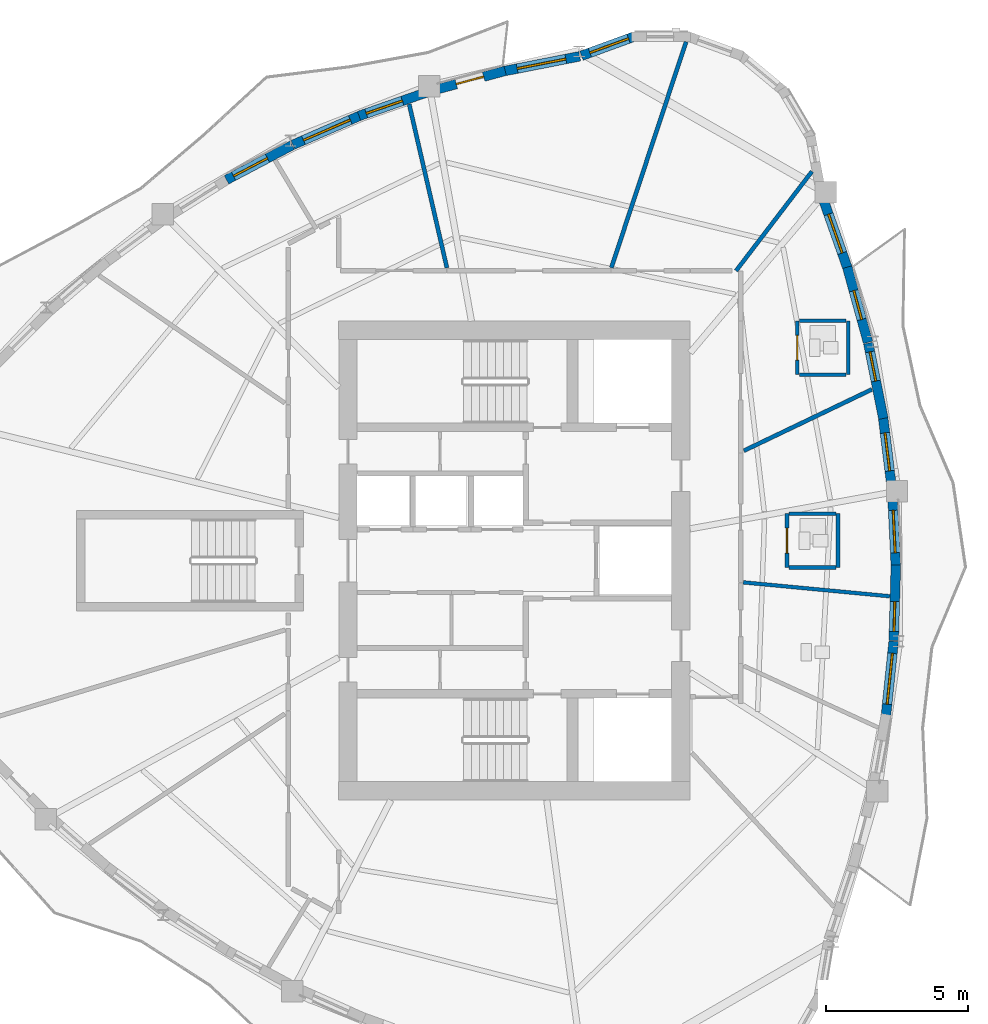
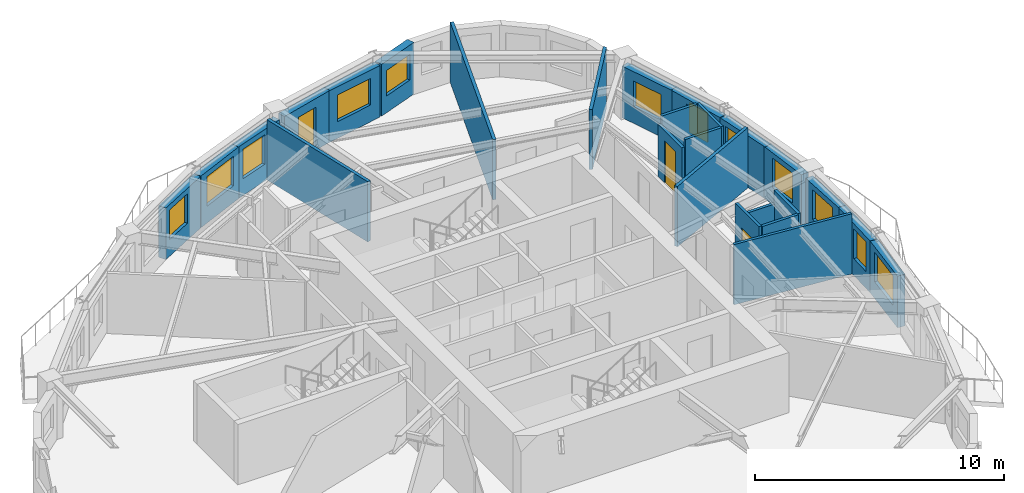
# One storey, part 7 of 12: 26 walls, 12 windows, 3 doors, 15 openings.
"""IFC4 building model written with IfcOpenShell, lengths in metres."""

from ifc_helpers import new_model, si_unit, direction, frame, frame_2d, origin, place, context, subcontext, project, spatial, rectangle, extrude, source, transform, mapped, material, layer, layer_set, type_object, element, fill, save


model = new_model("IFC4")

# Units and contexts
model_context = context("Model", 3, precision=1e-05, world=origin(), true_north=direction((0.0, 1.0)))
body_context = subcontext(model_context, "Body", "Model", "MODEL_VIEW")
ifc_project = project(units=[si_unit("LENGTHUNIT", "METRE"), si_unit("AREAUNIT", "SQUARE_METRE"), si_unit("VOLUMEUNIT", "CUBIC_METRE"), si_unit("PLANEANGLEUNIT", "RADIAN"), si_unit("MASSUNIT", "GRAM", prefix="KILO")], contexts=[model_context])

# Site, building, storey
site_placement = place(None, origin())
site = spatial("IfcSite", under=ifc_project, at=site_placement, CompositionType="ELEMENT")
building_placement = place(site_placement, origin())
building = spatial("IfcBuilding", under=site, at=building_placement, Name="Qafzar Sky-Pleat Residences", CompositionType="ELEMENT")
storey_placement = place(building_placement, frame((0.0, 0.0, 142.60009765625)))
storey = spatial("IfcBuildingStorey", under=building, at=storey_placement, Name="L42", CompositionType="ELEMENT", Elevation=142.60009765625)

# Walls
ifc_material_1 = material(Name="Acoustic gypsum plasterboard partition", Category="gypsum")
ifc_layer_1 = layer(ifc_material_1, 0.14501953125)
ifc_layer_set_1 = layer_set([ifc_layer_1], Name="Acoustic gypsum plasterboard partition")
wall_type_1 = type_object("IfcWallType", Name="PART-UNIT-145", PredefinedType="PARTITIONING", material=ifc_layer_set_1)
wall_1_placement = place(storey_placement, frame((33.7705078125, 36.34033203125, 0.0), z_axis=(0.0, 0.0, 1.0), x_axis=(0.314080540859, 0.949396341816, 0.0)))
element("IfcWall", 1, at=wall_1_placement, inside=storey, type_object=wall_type_1, Name="L42 Partition Wall PART-L42-PW-016", PredefinedType="PARTITIONING", context=body_context, shape_type="SweptSolid", body=[
    extrude(rectangle(XDim=8.394287109375, YDim=0.14501953125, at=frame_2d((4.197265625, 0.0))), origin(), (0.0, 0.0, 1.0), 2.949951171875),
])
wall_2_placement = place(storey_placement, frame((26.6337890625, 42.11328125, 0.0), z_axis=(0.0, 0.0, 1.0), x_axis=(0.224790361783, -0.97440714963, 0.0)))
element("IfcWall", 2, at=wall_2_placement, inside=storey, type_object=wall_type_1, Name="L42 Partition Wall PART-L42-PW-020", PredefinedType="PARTITIONING", context=body_context, shape_type="SweptSolid", body=[
    extrude(rectangle(XDim=5.93115234375, YDim=0.14501953125, at=frame_2d((2.965576171875, 0.0))), origin(), (0.0, 0.0, 1.0), 2.949951171875),
])
wall_3_placement = place(storey_placement, frame((38.448486328125, 29.880859375, 0.0), z_axis=(0.0, 0.0, 1.0), x_axis=(0.901842564972, 0.432064796072, 0.0)))
element("IfcWall", 3, at=wall_3_placement, inside=storey, type_object=wall_type_1, Name="L42 Partition Wall PART-L42-PW-023", PredefinedType="PARTITIONING", context=body_context, shape_type="SweptSolid", body=[
    extrude(rectangle(XDim=5.004150390625, YDim=0.14501953125, at=frame_2d((2.501953125, 0.0))), origin(), (0.0, 0.0, 1.0), 2.949951171875),
])
wall_4_placement = place(storey_placement, frame((38.169921875, 36.22998046875, 0.0), z_axis=(0.0, 0.0, 1.0), x_axis=(0.607203490548, 0.794546361811, 0.0)))
element("IfcWall", 4, at=wall_4_placement, inside=storey, type_object=wall_type_1, Name="L42 Partition Wall PART-L42-PW-024", PredefinedType="PARTITIONING", context=body_context, shape_type="SweptSolid", body=[
    extrude(rectangle(XDim=4.409912109375, YDim=0.14501953125, at=frame_2d((2.205078125, 0.0))), origin(), (0.0, 0.0, 1.0), 2.949951171875),
])

# Wall, opening, door
ifc_material_2 = material(Name="Moisture-resistant gypsum partition", Category="gypsum")
ifc_layer_2 = layer(ifc_material_2, 0.1298828125)
ifc_layer_set_2 = layer_set([ifc_layer_2], Name="Moisture-resistant gypsum partition")
wall_type_2 = type_object("IfcWallType", Name="PART-WET-130", PredefinedType="PARTITIONING", material=ifc_layer_set_2)
wall_5_placement = place(storey_placement, frame((39.968017578125, 27.656982421875, 0.0), z_axis=(0.0, 0.0, 1.0), x_axis=(0.0, -1.0, 0.0)))
wall_5 = element("IfcWall", 5, at=wall_5_placement, inside=storey, type_object=wall_type_2, Name="L42 Partition Wall PART-L42-PW-012", PredefinedType="PARTITIONING", context=body_context, shape_type="SweptSolid", body=[
    extrude(rectangle(XDim=1.89990234375, YDim=0.1298828125, at=frame_2d((0.949951171875, 0.0))), origin(), (0.0, 0.0, 1.0), 2.949951171875),
])
opening_1_placement = place(wall_5_placement, frame((0.510009765625, 0.0, 0.0)))
opening_1 = element("IfcOpeningElement", 6, at=opening_1_placement, cuts=wall_5, Name="Opening ID-07", PredefinedType="OPENING", context=body_context, shape_type="SweptSolid", body=[
    extrude(rectangle(XDim=0.8798828125, YDim=2.050048828125, at=frame_2d((0.43994140625, 1.02490234375))), frame((0.0, 0.074951171875, 0.0), z_axis=(0.0, -1.0, 0.0), x_axis=(1.0, 0.0, 0.0)), (0.0, 0.0, 1.0), 0.14990234375),
])
ifc_material_3 = material(Name="Timber-faced fire door", Category="wood")
door_type_1 = type_object("IfcDoorType", Name="DR-WET-880", OperationType="NOTDEFINED", PredefinedType="DOOR", material=ifc_material_3)
shared_shape_1 = source(origin(), body_context, "Body", "SweptSolid", [
    extrude(rectangle(XDim=0.8798828125, YDim=2.050048828125, at=frame_2d((0.43994140625, 1.02490234375))), frame((0.0, 0.02490234375, 0.0), z_axis=(0.0, -1.0, 0.0), x_axis=(1.0, 0.0, 0.0)), (0.0, 0.0, 1.0), 0.050048828125),
])
door_1_placement = place(opening_1_placement, origin())
door_1 = element("IfcDoor", 7, at=door_1_placement, inside=storey, type_object=door_type_1, Name="L42 En-suite Bathroom 1 Door", OperationType="SINGLE_SWING_LEFT", OverallHeight=2.050048828125, OverallWidth=0.8798828125, PredefinedType="DOOR", context=body_context, shape_type="MappedRepresentation", body=[
    mapped(shared_shape_1, transform((0.0, 0.0, 0.0), x_axis=(1.0, 0.0, 0.0), y_axis=(0.0, 1.0, 0.0), z_axis=(0.0, 0.0, 1.0), scale=1.0)),
])
fill(opening_1, door_1)

wall_6_placement = place(storey_placement, frame((40.330078125, 34.464111328125, 0.0), z_axis=(0.0, 0.0, 1.0), x_axis=(0.0, -1.0, 0.0)))
wall_6 = element("IfcWall", 8, at=wall_6_placement, inside=storey, type_object=wall_type_2, Name="L42 Partition Wall PART-L42-PW-013", PredefinedType="PARTITIONING", context=body_context, shape_type="SweptSolid", body=[
    extrude(rectangle(XDim=1.900146484375, YDim=0.1298828125, at=frame_2d((0.9501953125, 0.0))), origin(), (0.0, 0.0, 1.0), 2.557861328125),
])
opening_2_placement = place(wall_6_placement, frame((0.510009765625, 0.0, 0.0)))
opening_2 = element("IfcOpeningElement", 9, at=opening_2_placement, cuts=wall_6, Name="Opening ID-07", PredefinedType="OPENING", context=body_context, shape_type="SweptSolid", body=[
    extrude(rectangle(XDim=0.8798828125, YDim=2.050048828125, at=frame_2d((0.43994140625, 1.02490234375))), frame((0.0, 0.074951171875, 0.0), z_axis=(0.0, -1.0, 0.0), x_axis=(1.0, 0.0, 0.0)), (0.0, 0.0, 1.0), 0.14990234375),
])
door_2_placement = place(opening_2_placement, origin())
door_2 = element("IfcDoor", 10, at=door_2_placement, inside=storey, type_object=door_type_1, Name="L42 En-suite Bathroom 2 Door", OperationType="SINGLE_SWING_RIGHT", OverallHeight=2.050048828125, OverallWidth=0.8798828125, PredefinedType="DOOR", context=body_context, shape_type="MappedRepresentation", body=[
    mapped(shared_shape_1, transform((0.0, 0.0, 0.0), x_axis=(1.0, 0.0, 0.0), y_axis=(0.0, 1.0, 0.0), z_axis=(0.0, 0.0, 1.0), scale=1.0)),
])
fill(opening_2, door_2)

# Walls
wall_7_placement = place(storey_placement, frame((38.424072265625, 25.235107421875, 0.0), z_axis=(0.0, 0.0, 1.0), x_axis=(0.995523942217, -0.094509684549, 0.0)))
element("IfcWall", 11, at=wall_7_placement, inside=storey, type_object=wall_type_2, Name="L42 Partition Wall PART-L42-PW-022", PredefinedType="PARTITIONING", context=body_context, shape_type="SweptSolid", body=[
    extrude(rectangle(XDim=5.19482421875, YDim=0.1298828125, at=frame_2d((2.597412109375, 0.0))), origin(), (0.0, 0.0, 1.0), 2.949951171875),
])
wall_8_placement = place(storey_placement, frame((41.76806640625, 25.757080078125, 0.0), z_axis=(0.0, 0.0, 1.0), x_axis=(0.0, 1.0, 0.0)))
element("IfcWall", 12, at=wall_8_placement, inside=storey, type_object=wall_type_2, Name="L42 Partition Wall PART-L42-PW-027", PredefinedType="PARTITIONING", context=body_context, shape_type="SweptSolid", body=[
    extrude(rectangle(XDim=1.89990234375, YDim=0.1298828125, at=frame_2d((0.949951171875, 0.0))), origin(), (0.0, 0.0, 1.0), 2.949951171875),
])
wall_9_placement = place(storey_placement, frame((42.1298828125, 32.56396484375, 0.0), z_axis=(0.0, 0.0, 1.0), x_axis=(0.0, 1.0, 0.0)))
element("IfcWall", 13, at=wall_9_placement, inside=storey, type_object=wall_type_2, Name="L42 Partition Wall PART-L42-PW-028", PredefinedType="PARTITIONING", context=body_context, shape_type="SweptSolid", body=[
    extrude(rectangle(XDim=1.900146484375, YDim=0.1298828125, at=frame_2d((0.9501953125, 0.0))), origin(), (0.0, 0.0, 1.0), 2.949951171875),
])
for number, where, z_axis, x_axis, name in (
    (14, (40.403076171875, 34.464111328125, 0.0), (0.0, 0.0, 1.0), (1.0, 0.0, 0.0), "L42 Partition Wall PART-L42-PW-029"),
    (15, (40.403076171875, 32.56396484375, 0.0), (0.0, 0.0, 1.0), (1.0, 0.0, 0.0), "L42 Partition Wall PART-L42-PW-030"),
):
    element("IfcWall", number, at=place(storey_placement, frame(where, z_axis=z_axis, x_axis=x_axis)), inside=storey, type_object=wall_type_2, Name=name, PredefinedType="PARTITIONING", context=body_context, shape_type="SweptSolid", body=[
        extrude(rectangle(XDim=1.65380859375, YDim=0.1298828125, at=frame_2d((0.826904296875, 0.0))), origin(), (0.0, 0.0, 1.0), 2.949951171875),
    ])
wall_10_placement = place(storey_placement, frame((40.041015625, 27.656982421875, 0.0), z_axis=(0.0, 0.0, 1.0), x_axis=(1.0, 0.0, 0.0)))
element("IfcWall", 16, at=wall_10_placement, inside=storey, type_object=wall_type_2, Name="L42 Partition Wall PART-L42-PW-031", PredefinedType="PARTITIONING", context=body_context, shape_type="SweptSolid", body=[
    extrude(rectangle(XDim=1.654052734375, YDim=0.1298828125, at=frame_2d((0.8271484375, 0.0))), origin(), (0.0, 0.0, 1.0), 2.31787109375),
])
wall_11_placement = place(storey_placement, frame((40.041015625, 25.757080078125, 0.0), z_axis=(0.0, 0.0, 1.0), x_axis=(1.0, 0.0, 0.0)))
element("IfcWall", 17, at=wall_11_placement, inside=storey, type_object=wall_type_2, Name="L42 Partition Wall PART-L42-PW-032", PredefinedType="PARTITIONING", context=body_context, shape_type="SweptSolid", body=[
    extrude(rectangle(XDim=1.654052734375, YDim=0.1298828125, at=frame_2d((0.8271484375, 0.0))), origin(), (0.0, 0.0, 1.0), 2.949951171875),
])

# Wall, opening, window
ifc_material_4 = material(Name="Precast concrete C40/50 with honed Riyadh limestone", Category="concrete")
ifc_layer_3 = layer(ifc_material_4, 0.340087890625)
ifc_layer_set_3 = layer_set([ifc_layer_3], Name="Precast concrete C40/50 with honed Riyadh limestone")
wall_type_3 = type_object("IfcWallType", Name="WALL-EXT-340", PredefinedType="SOLIDWALL", material=ifc_layer_set_3)
wall_12_placement = place(storey_placement, frame((43.4541015625, 20.490478515625, 0.0), z_axis=(0.0, 0.0, 1.0), x_axis=(0.103669919384, 0.994611757328, 0.0)))
wall_12 = element("IfcWall", 18, at=wall_12_placement, inside=storey, type_object=wall_type_3, Name="L42 Limestone Facade Wall 26", PredefinedType="SOLIDWALL", context=body_context, shape_type="SweptSolid", body=[
    extrude(rectangle(XDim=2.679931640625, YDim=0.340087890625, at=frame_2d((1.33984375, 0.0))), origin(), (0.0, 0.0, 1.0), 2.52978515625),
])
opening_3_placement = place(wall_12_placement, frame((0.449951171875, 0.0, 0.820068359375)))
opening_3 = element("IfcOpeningElement", 19, at=opening_3_placement, cuts=wall_12, Name="Opening WN-01", PredefinedType="OPENING", context=body_context, shape_type="SweptSolid", body=[
    extrude(rectangle(XDim=1.800048828125, YDim=1.449951171875, at=frame_2d((0.89990234375, 0.72509765625))), frame((0.0, 0.18017578125, 0.0), z_axis=(0.0, -1.0, 0.0), x_axis=(1.0, 0.0, 0.0)), (0.0, 0.0, 1.0), 0.360107421875),
])
ifc_material_5 = material(Name="Solar-control low-E glass in bronze aluminium frame", Category="glass")
window_type_1 = type_object("IfcWindowType", Name="WIN-01", PartitioningType="DOUBLE_PANEL_VERTICAL", PredefinedType="WINDOW", material=ifc_material_5)
shared_shape_2 = source(origin(), body_context, "Body", "SweptSolid", [
    extrude(rectangle(XDim=1.800048828125, YDim=1.449951171875, at=frame_2d((0.89990234375, 0.72509765625))), frame((0.0, 0.030029296875, 0.0), z_axis=(0.0, -1.0, 0.0), x_axis=(1.0, 0.0, 0.0)), (0.0, 0.0, 1.0), 0.06005859375),
])
window_1_placement = place(opening_3_placement, origin())
window_1 = element("IfcWindow", 20, at=window_1_placement, inside=storey, type_object=window_type_1, Name="L42 Punched Facade Window 26", OverallHeight=1.449951171875, OverallWidth=1.800048828125, PartitioningType="SINGLE_PANEL", PredefinedType="WINDOW", context=body_context, shape_type="MappedRepresentation", body=[
    mapped(shared_shape_2, transform((0.0, 0.0, 0.0), x_axis=(1.0, 0.0, 0.0), y_axis=(0.0, 1.0, 0.0), z_axis=(0.0, 0.0, 1.0), scale=1.0)),
])
fill(opening_3, window_1)

wall_13_placement = place(storey_placement, frame((43.73388671875, 23.18310546875, 0.0), z_axis=(0.0, 0.0, 1.0), x_axis=(0.028311286797, 0.999599155182, 0.0)))
wall_13 = element("IfcWall", 21, at=wall_13_placement, inside=storey, type_object=wall_type_3, Name="L42 Limestone Facade Wall 27", PredefinedType="SOLIDWALL", context=body_context, shape_type="SweptSolid", body=[
    extrude(rectangle(XDim=2.66455078125, YDim=0.340087890625, at=frame_2d((1.332275390625, 0.0))), origin(), (0.0, 0.0, 1.0), 2.52978515625),
])
opening_4_placement = place(wall_13_placement, frame((0.322509765625, 0.0, 0.820068359375)))
opening_4 = element("IfcOpeningElement", 22, at=opening_4_placement, cuts=wall_13, Name="Opening WN-06", PredefinedType="OPENING", context=body_context, shape_type="SweptSolid", body=[
    extrude(rectangle(XDim=1.050048828125, YDim=1.449951171875, at=frame_2d((0.52490234375, 0.72509765625))), frame((0.0, 0.18017578125, 0.0), z_axis=(0.0, -1.0, 0.0), x_axis=(1.0, 0.0, 0.0)), (0.0, 0.0, 1.0), 0.360107421875),
])
window_type_2 = type_object("IfcWindowType", Name="WIN-06", PartitioningType="SINGLE_PANEL", PredefinedType="WINDOW", material=ifc_material_5)
shared_shape_3 = source(origin(), body_context, "Body", "SweptSolid", [
    extrude(rectangle(XDim=1.050048828125, YDim=1.449951171875, at=frame_2d((0.52490234375, 0.72509765625))), frame((0.0, 0.030029296875, 0.0), z_axis=(0.0, -1.0, 0.0), x_axis=(1.0, 0.0, 0.0)), (0.0, 0.0, 1.0), 0.06005859375),
])
window_2_placement = place(opening_4_placement, origin())
window_2 = element("IfcWindow", 23, at=window_2_placement, inside=storey, type_object=window_type_2, Name="L42 Punched Facade Window 27", OverallHeight=1.449951171875, OverallWidth=1.050048828125, PartitioningType="SINGLE_PANEL", PredefinedType="WINDOW", context=body_context, shape_type="MappedRepresentation", body=[
    mapped(shared_shape_3, transform((0.0, 0.0, 0.0), x_axis=(1.0, 0.0, 0.0), y_axis=(0.0, 1.0, 0.0), z_axis=(0.0, 0.0, 1.0), scale=1.0)),
])
fill(opening_4, window_2)

wall_14_placement = place(storey_placement, frame((43.810302734375, 25.7578125, 0.0), z_axis=(0.0, 0.0, 1.0), x_axis=(-0.047679791281, 0.998862671994, 0.0)))
wall_14 = element("IfcWall", 24, at=wall_14_placement, inside=storey, type_object=wall_type_3, Name="L42 Limestone Facade Wall 28", PredefinedType="SOLIDWALL", context=body_context, shape_type="SweptSolid", body=[
    extrude(rectangle(XDim=2.529541015625, YDim=0.340087890625, at=frame_2d((1.2646484375, 0.0))), origin(), (0.0, 0.0, 1.0), 2.52978515625),
])
opening_5_placement = place(wall_14_placement, frame((0.519775390625, 0.0, 0.820068359375)))
opening_5 = element("IfcOpeningElement", 25, at=opening_5_placement, cuts=wall_14, Name="Opening WN-03", PredefinedType="OPENING", context=body_context, shape_type="SweptSolid", body=[
    extrude(rectangle(XDim=1.5, YDim=1.449951171875, at=frame_2d((0.75, 0.72509765625))), frame((0.0, 0.18017578125, 0.0), z_axis=(0.0, -1.0, 0.0), x_axis=(1.0, 0.0, 0.0)), (0.0, 0.0, 1.0), 0.360107421875),
])
window_type_3 = type_object("IfcWindowType", Name="WIN-03", PartitioningType="DOUBLE_PANEL_VERTICAL", PredefinedType="WINDOW", material=ifc_material_5)
shared_shape_4 = source(origin(), body_context, "Body", "SweptSolid", [
    extrude(rectangle(XDim=1.5, YDim=1.449951171875, at=frame_2d((0.75, 0.72509765625))), frame((0.0, 0.030029296875, 0.0), z_axis=(0.0, -1.0, 0.0), x_axis=(1.0, 0.0, 0.0)), (0.0, 0.0, 1.0), 0.06005859375),
])
window_3_placement = place(opening_5_placement, origin())
window_3 = element("IfcWindow", 26, at=window_3_placement, inside=storey, type_object=window_type_3, Name="L42 Punched Facade Window 28", OverallHeight=1.449951171875, OverallWidth=1.5, PartitioningType="SINGLE_PANEL", PredefinedType="WINDOW", context=body_context, shape_type="MappedRepresentation", body=[
    mapped(shared_shape_4, transform((0.0, 0.0, 0.0), x_axis=(1.0, 0.0, 0.0), y_axis=(0.0, 1.0, 0.0), z_axis=(0.0, 0.0, 1.0), scale=1.0)),
])
fill(opening_5, window_3)

wall_15_placement = place(storey_placement, frame((43.664306640625, 28.580078125, 0.0), z_axis=(0.0, 0.0, 1.0), x_axis=(-0.122794881762, 0.992432071737, 0.0)))
wall_15 = element("IfcWall", 27, at=wall_15_placement, inside=storey, type_object=wall_type_3, Name="L42 Limestone Facade Wall 29", PredefinedType="SOLIDWALL", context=body_context, shape_type="SweptSolid", body=[
    extrude(rectangle(XDim=2.544921875, YDim=0.340087890625, at=frame_2d((1.2724609375, 0.0))), origin(), (0.0, 0.0, 1.0), 2.52978515625),
])
opening_6_placement = place(wall_15_placement, frame((0.59228515625, 0.0, 0.820068359375)))
opening_6 = element("IfcOpeningElement", 28, at=opening_6_placement, cuts=wall_15, Name="Opening WN-04", PredefinedType="OPENING", context=body_context, shape_type="SweptSolid", body=[
    extrude(rectangle(XDim=1.35009765625, YDim=1.449951171875, at=frame_2d((0.675048828125, 0.72509765625))), frame((0.0, 0.18017578125, 0.0), z_axis=(0.0, -1.0, 0.0), x_axis=(1.0, 0.0, 0.0)), (0.0, 0.0, 1.0), 0.360107421875),
])
window_type_4 = type_object("IfcWindowType", Name="WIN-04", PartitioningType="SINGLE_PANEL", PredefinedType="WINDOW", material=ifc_material_5)
shared_shape_5 = source(origin(), body_context, "Body", "SweptSolid", [
    extrude(rectangle(XDim=1.35009765625, YDim=1.449951171875, at=frame_2d((0.675048828125, 0.72509765625))), frame((0.0, 0.030029296875, 0.0), z_axis=(0.0, -1.0, 0.0), x_axis=(1.0, 0.0, 0.0)), (0.0, 0.0, 1.0), 0.06005859375),
])
window_4_placement = place(opening_6_placement, origin())
window_4 = element("IfcWindow", 29, at=window_4_placement, inside=storey, type_object=window_type_4, Name="L42 Punched Facade Window 29", OverallHeight=1.449951171875, OverallWidth=1.35009765625, PartitioningType="SINGLE_PANEL", PredefinedType="WINDOW", context=body_context, shape_type="MappedRepresentation", body=[
    mapped(shared_shape_5, transform((0.0, 0.0, 0.0), x_axis=(1.0, 0.0, 0.0), y_axis=(0.0, 1.0, 0.0), z_axis=(0.0, 0.0, 1.0), scale=1.0)),
])
fill(opening_6, window_4)

wall_16_placement = place(storey_placement, frame((43.365966796875, 31.018310546875, 0.0), z_axis=(0.0, 0.0, 1.0), x_axis=(-0.196116135138, 0.980580675691, 0.0)))
wall_16 = element("IfcWall", 30, at=wall_16_placement, inside=storey, type_object=wall_type_3, Name="L42 Limestone Facade Wall 30", PredefinedType="SOLIDWALL", context=body_context, shape_type="SweptSolid", body=[
    extrude(rectangle(XDim=2.710205078125, YDim=0.340087890625, at=frame_2d((1.35498046875, 0.0))), origin(), (0.0, 0.0, 1.0), 2.52978515625),
])
opening_7_placement = place(wall_16_placement, frame((1.3466796875, 0.0, 0.820068359375)))
opening_7 = element("IfcOpeningElement", 31, at=opening_7_placement, cuts=wall_16, Name="Opening WN-06", PredefinedType="OPENING", context=body_context, shape_type="SweptSolid", body=[
    extrude(rectangle(XDim=1.050048828125, YDim=1.449951171875, at=frame_2d((0.52490234375, 0.72509765625))), frame((0.0, 0.18017578125, 0.0), z_axis=(0.0, -1.0, 0.0), x_axis=(1.0, 0.0, 0.0)), (0.0, 0.0, 1.0), 0.360107421875),
])
window_5_placement = place(opening_7_placement, origin())
window_5 = element("IfcWindow", 32, at=window_5_placement, inside=storey, type_object=window_type_2, Name="L42 Punched Facade Window 30-2", OverallHeight=1.449951171875, OverallWidth=1.050048828125, PartitioningType="SINGLE_PANEL", PredefinedType="WINDOW", context=body_context, shape_type="MappedRepresentation", body=[
    mapped(shared_shape_3, transform((0.0, 0.0, 0.0), x_axis=(1.0, 0.0, 0.0), y_axis=(0.0, 1.0, 0.0), z_axis=(0.0, 0.0, 1.0), scale=1.0)),
])
fill(opening_7, window_5)

wall_17_placement = place(storey_placement, frame((42.827880859375, 33.70263671875, 0.0), z_axis=(0.0, 0.0, 1.0), x_axis=(-0.266340796898, 0.963878923884, 0.0)))
wall_17 = element("IfcWall", 33, at=wall_17_placement, inside=storey, type_object=wall_type_3, Name="L42 Limestone Facade Wall 31", PredefinedType="SOLIDWALL", context=body_context, shape_type="SweptSolid", body=[
    extrude(rectangle(XDim=2.754638671875, YDim=0.340087890625, at=frame_2d((1.37744140625, 0.0))), origin(), (0.0, 0.0, 1.0), 2.52978515625),
])
opening_8_placement = place(wall_17_placement, frame((0.84228515625, 0.0, 0.820068359375)))
opening_8 = element("IfcOpeningElement", 34, at=opening_8_placement, cuts=wall_17, Name="Opening WN-06", PredefinedType="OPENING", context=body_context, shape_type="SweptSolid", body=[
    extrude(rectangle(XDim=1.050048828125, YDim=1.449951171875, at=frame_2d((0.52490234375, 0.72509765625))), frame((0.0, 0.18017578125, 0.0), z_axis=(0.0, -1.0, 0.0), x_axis=(1.0, 0.0, 0.0)), (0.0, 0.0, 1.0), 0.360107421875),
])
window_6_placement = place(opening_8_placement, origin())
window_6 = element("IfcWindow", 35, at=window_6_placement, inside=storey, type_object=window_type_2, Name="L42 Punched Facade Window 31", OverallHeight=1.449951171875, OverallWidth=1.050048828125, PartitioningType="SINGLE_PANEL", PredefinedType="WINDOW", context=body_context, shape_type="MappedRepresentation", body=[
    mapped(shared_shape_3, transform((0.0, 0.0, 0.0), x_axis=(1.0, 0.0, 0.0), y_axis=(0.0, 1.0, 0.0), z_axis=(0.0, 0.0, 1.0), scale=1.0)),
])
fill(opening_8, window_6)

wall_18_placement = place(storey_placement, frame((42.12060546875, 36.27392578125, 0.0), z_axis=(0.0, 0.0, 1.0), x_axis=(-0.332724751299, 0.943023986902, 0.0)))
wall_18 = element("IfcWall", 36, at=wall_18_placement, inside=storey, type_object=wall_type_3, Name="L42 Limestone Facade Wall 32", PredefinedType="SOLIDWALL", context=body_context, shape_type="SweptSolid", body=[
    extrude(rectangle(XDim=2.67822265625, YDim=0.340087890625, at=frame_2d((1.339111328125, 0.0))), origin(), (0.0, 0.0, 1.0), 2.52978515625),
])
opening_9_placement = place(wall_18_placement, frame((0.618896484375, 0.0, 0.820068359375)))
opening_9 = element("IfcOpeningElement", 37, at=opening_9_placement, cuts=wall_18, Name="Opening WN-15", PredefinedType="OPENING", context=body_context, shape_type="SweptSolid", body=[
    extrude(rectangle(XDim=1.449951171875, YDim=1.25, at=frame_2d((0.72509765625, 0.625))), frame((0.0, 0.18017578125, 0.0), z_axis=(0.0, -1.0, 0.0), x_axis=(1.0, 0.0, 0.0)), (0.0, 0.0, 1.0), 0.360107421875),
])
window_type_5 = type_object("IfcWindowType", Name="WIN-15", PartitioningType="SINGLE_PANEL", PredefinedType="WINDOW", material=ifc_material_5)
shared_shape_6 = source(origin(), body_context, "Body", "SweptSolid", [
    extrude(rectangle(XDim=1.449951171875, YDim=1.25, at=frame_2d((0.72509765625, 0.625))), frame((0.0, 0.030029296875, 0.0), z_axis=(0.0, -1.0, 0.0), x_axis=(1.0, 0.0, 0.0)), (0.0, 0.0, 1.0), 0.06005859375),
])
window_7_placement = place(opening_9_placement, origin())
window_7 = element("IfcWindow", 38, at=window_7_placement, inside=storey, type_object=window_type_5, Name="L42 Punched Facade Window 32", OverallHeight=1.25, OverallWidth=1.449951171875, PartitioningType="SINGLE_PANEL", PredefinedType="WINDOW", context=body_context, shape_type="MappedRepresentation", body=[
    mapped(shared_shape_6, transform((0.0, 0.0, 0.0), x_axis=(1.0, 0.0, 0.0), y_axis=(0.0, 1.0, 0.0), z_axis=(0.0, 0.0, 1.0), scale=1.0)),
])
fill(opening_9, window_7)

wall_19_placement = place(storey_placement, frame((34.6162109375, 44.509765625, 0.0), z_axis=(0.0, 0.0, 1.0), x_axis=(-0.939426417976, -0.342750645819, 0.0)))
wall_19 = element("IfcWall", 39, at=wall_19_placement, inside=storey, type_object=wall_type_3, Name="L42 Limestone Facade Wall 38", PredefinedType="SOLIDWALL", context=body_context, shape_type="SweptSolid", body=[
    extrude(rectangle(XDim=2.02294921875, YDim=0.340087890625, at=frame_2d((1.011474609375, 0.0))), origin(), (0.0, 0.0, 1.0), 2.52978515625),
])
opening_10_placement = place(wall_19_placement, frame((0.256591796875, 0.0, 0.820068359375)))
opening_10 = element("IfcOpeningElement", 40, at=opening_10_placement, cuts=wall_19, Name="Opening WN-15", PredefinedType="OPENING", context=body_context, shape_type="SweptSolid", body=[
    extrude(rectangle(XDim=1.449951171875, YDim=1.25, at=frame_2d((0.72509765625, 0.625))), frame((0.0, 0.18017578125, 0.0), z_axis=(0.0, -1.0, 0.0), x_axis=(1.0, 0.0, 0.0)), (0.0, 0.0, 1.0), 0.360107421875),
])
window_8_placement = place(opening_10_placement, origin())
window_8 = element("IfcWindow", 41, at=window_8_placement, inside=storey, type_object=window_type_5, Name="L42 Punched Facade Window 38", OverallHeight=1.25, OverallWidth=1.449951171875, PartitioningType="SINGLE_PANEL", PredefinedType="WINDOW", context=body_context, shape_type="MappedRepresentation", body=[
    mapped(shared_shape_6, transform((0.0, 0.0, 0.0), x_axis=(1.0, 0.0, 0.0), y_axis=(0.0, 1.0, 0.0), z_axis=(0.0, 0.0, 1.0), scale=1.0)),
])
fill(opening_10, window_8)

wall_20_placement = place(storey_placement, frame((32.65185546875, 43.798583984375, 0.0), z_axis=(0.0, 0.0, 1.0), x_axis=(-0.98123033563, -0.192839385083, 0.0)))
wall_20 = element("IfcWall", 42, at=wall_20_placement, inside=storey, type_object=wall_type_3, Name="L42 Limestone Facade Wall 39", PredefinedType="SOLIDWALL", context=body_context, shape_type="SweptSolid", body=[
    extrude(rectangle(XDim=2.766357421875, YDim=0.340087890625, at=frame_2d((1.38330078125, 0.0))), origin(), (0.0, 0.0, 1.0), 2.52978515625),
])
opening_11_placement = place(wall_20_placement, frame((0.498046875, 0.0, 0.820068359375)))
opening_11 = element("IfcOpeningElement", 43, at=opening_11_placement, cuts=wall_20, Name="Opening WN-14", PredefinedType="OPENING", context=body_context, shape_type="SweptSolid", body=[
    extrude(rectangle(XDim=1.75, YDim=1.300048828125, at=frame_2d((0.875, 0.64990234375))), frame((0.0, 0.18017578125, 0.0), z_axis=(0.0, -1.0, 0.0), x_axis=(1.0, 0.0, 0.0)), (0.0, 0.0, 1.0), 0.360107421875),
])
window_type_6 = type_object("IfcWindowType", Name="WIN-14", PartitioningType="DOUBLE_PANEL_VERTICAL", PredefinedType="WINDOW", material=ifc_material_5)
shared_shape_7 = source(origin(), body_context, "Body", "SweptSolid", [
    extrude(rectangle(XDim=1.75, YDim=1.300048828125, at=frame_2d((0.875, 0.64990234375))), frame((0.0, 0.030029296875, 0.0), z_axis=(0.0, -1.0, 0.0), x_axis=(1.0, 0.0, 0.0)), (0.0, 0.0, 1.0), 0.06005859375),
])
window_9_placement = place(opening_11_placement, origin())
window_9 = element("IfcWindow", 44, at=window_9_placement, inside=storey, type_object=window_type_6, Name="L42 Punched Facade Window 39", OverallHeight=1.300048828125, OverallWidth=1.75, PartitioningType="SINGLE_PANEL", PredefinedType="WINDOW", context=body_context, shape_type="MappedRepresentation", body=[
    mapped(shared_shape_7, transform((0.0, 0.0, 0.0), x_axis=(1.0, 0.0, 0.0), y_axis=(0.0, 1.0, 0.0), z_axis=(0.0, 0.0, 1.0), scale=1.0)),
])
fill(opening_11, window_9)

# Wall, opening, door
wall_21_placement = place(storey_placement, frame((30.02294921875, 43.284912109375, 0.0), z_axis=(0.0, 0.0, 1.0), x_axis=(-0.965478241218, -0.260483714913, 0.0)))
wall_21 = element("IfcWall", 45, at=wall_21_placement, inside=storey, type_object=wall_type_3, Name="L42 Limestone Facade Wall 40", PredefinedType="SOLIDWALL", context=body_context, shape_type="SweptSolid", body=[
    extrude(rectangle(XDim=2.57373046875, YDim=0.340087890625, at=frame_2d((1.286865234375, 0.0))), origin(), (0.0, 0.0, 1.0), 2.52978515625),
])
opening_12_placement = place(wall_21_placement, frame((0.786865234375, 0.0, 0.0)))
opening_12 = element("IfcOpeningElement", 46, at=opening_12_placement, cuts=wall_21, Name="Opening ED-05", PredefinedType="OPENING", context=body_context, shape_type="SweptSolid", body=[
    extrude(rectangle(XDim=1.0, YDim=2.10009765625, at=frame_2d((0.5, 1.050048828125))), frame((0.0, 0.18017578125, 0.0), z_axis=(0.0, -1.0, 0.0), x_axis=(1.0, 0.0, 0.0)), (0.0, 0.0, 1.0), 0.360107421875),
])
ifc_material_6 = material(Name="Glazed bronze aluminium door", Category="aluminium")
door_type_2 = type_object("IfcDoorType", Name="DR-BAL-1000", OperationType="NOTDEFINED", PredefinedType="DOOR", material=ifc_material_6)
shared_shape_8 = source(origin(), body_context, "Body", "SweptSolid", [
    extrude(rectangle(XDim=1.0, YDim=2.10009765625, at=frame_2d((0.5, 1.050048828125))), frame((0.0, 0.02490234375, 0.0), z_axis=(0.0, -1.0, 0.0), x_axis=(1.0, 0.0, 0.0)), (0.0, 0.0, 1.0), 0.050048828125),
])
door_3_placement = place(opening_12_placement, origin())
door_3 = element("IfcDoor", 47, at=door_3_placement, inside=storey, type_object=door_type_2, Name="L42 Glazed Balcony Door 2", OperationType="SINGLE_SWING_LEFT", OverallHeight=2.10009765625, OverallWidth=1.0, PredefinedType="DOOR", context=body_context, shape_type="MappedRepresentation", body=[
    mapped(shared_shape_8, transform((0.0, 0.0, 0.0), x_axis=(1.0, 0.0, 0.0), y_axis=(0.0, 1.0, 0.0), z_axis=(0.0, 0.0, 1.0), scale=1.0)),
])
fill(opening_12, door_3)

# Wall, opening, window
wall_22_placement = place(storey_placement, frame((27.25390625, 42.526611328125, 0.0), z_axis=(0.0, 0.0, 1.0), x_axis=(-0.944140843313, -0.329542209721, 0.0)))
wall_22 = element("IfcWall", 48, at=wall_22_placement, inside=storey, type_object=wall_type_3, Name="L42 Limestone Facade Wall 41", PredefinedType="SOLIDWALL", context=body_context, shape_type="SweptSolid", body=[
    extrude(rectangle(XDim=2.530029296875, YDim=0.340087890625, at=frame_2d((1.26513671875, 0.0))), origin(), (0.0, 0.0, 1.0), 2.52978515625),
])
opening_13_placement = place(wall_22_placement, frame((0.909423828125, 0.0, 0.820068359375)))
opening_13 = element("IfcOpeningElement", 49, at=opening_13_placement, cuts=wall_22, Name="Opening WN-04", PredefinedType="OPENING", context=body_context, shape_type="SweptSolid", body=[
    extrude(rectangle(XDim=1.35009765625, YDim=1.449951171875, at=frame_2d((0.675048828125, 0.72509765625))), frame((0.0, 0.18017578125, 0.0), z_axis=(0.0, -1.0, 0.0), x_axis=(1.0, 0.0, 0.0)), (0.0, 0.0, 1.0), 0.360107421875),
])
window_10_placement = place(opening_13_placement, origin())
window_10 = element("IfcWindow", 50, at=window_10_placement, inside=storey, type_object=window_type_4, Name="L42 Punched Facade Window 41-2", OverallHeight=1.449951171875, OverallWidth=1.35009765625, PartitioningType="SINGLE_PANEL", PredefinedType="WINDOW", context=body_context, shape_type="MappedRepresentation", body=[
    mapped(shared_shape_5, transform((0.0, 0.0, 0.0), x_axis=(1.0, 0.0, 0.0), y_axis=(0.0, 1.0, 0.0), z_axis=(0.0, 0.0, 1.0), scale=1.0)),
])
fill(opening_13, window_10)

wall_23_placement = place(storey_placement, frame((24.94775390625, 41.72509765625, 0.0), z_axis=(0.0, 0.0, 1.0), x_axis=(-0.917067110524, -0.398732886523, 0.0)))
wall_23 = element("IfcWall", 51, at=wall_23_placement, inside=storey, type_object=wall_type_3, Name="L42 Limestone Facade Wall 42", PredefinedType="SOLIDWALL", context=body_context, shape_type="SweptSolid", body=[
    extrude(rectangle(XDim=2.63525390625, YDim=0.340087890625, at=frame_2d((1.317626953125, 0.0))), origin(), (0.0, 0.0, 1.0), 2.52978515625),
])
opening_14_placement = place(wall_23_placement, frame((0.427490234375, 0.0, 0.820068359375)))
opening_14 = element("IfcOpeningElement", 52, at=opening_14_placement, cuts=wall_23, Name="Opening WN-01", PredefinedType="OPENING", context=body_context, shape_type="SweptSolid", body=[
    extrude(rectangle(XDim=1.800048828125, YDim=1.449951171875, at=frame_2d((0.89990234375, 0.72509765625))), frame((0.0, 0.18017578125, 0.0), z_axis=(0.0, -1.0, 0.0), x_axis=(1.0, 0.0, 0.0)), (0.0, 0.0, 1.0), 0.360107421875),
])
window_11_placement = place(opening_14_placement, origin())
window_11 = element("IfcWindow", 53, at=window_11_placement, inside=storey, type_object=window_type_1, Name="L42 Punched Facade Window 42", OverallHeight=1.449951171875, OverallWidth=1.800048828125, PartitioningType="SINGLE_PANEL", PredefinedType="WINDOW", context=body_context, shape_type="MappedRepresentation", body=[
    mapped(shared_shape_2, transform((0.0, 0.0, 0.0), x_axis=(1.0, 0.0, 0.0), y_axis=(0.0, 1.0, 0.0), z_axis=(0.0, 0.0, 1.0), scale=1.0)),
])
fill(opening_14, window_11)

wall_24_placement = place(storey_placement, frame((22.506591796875, 40.66259765625, 0.0), z_axis=(0.0, 0.0, 1.0), x_axis=(-0.884410392718, -0.466710035517, 0.0)))
wall_24 = element("IfcWall", 54, at=wall_24_placement, inside=storey, type_object=wall_type_3, Name="L42 Limestone Facade Wall 43", PredefinedType="SOLIDWALL", context=body_context, shape_type="SweptSolid", body=[
    extrude(rectangle(XDim=2.620361328125, YDim=0.340087890625, at=frame_2d((1.31005859375, 0.0))), origin(), (0.0, 0.0, 1.0), 2.52978515625),
])
opening_15_placement = place(wall_24_placement, frame((0.98828125, 0.0, 0.820068359375)))
opening_15 = element("IfcOpeningElement", 55, at=opening_15_placement, cuts=wall_24, Name="Opening WN-04", PredefinedType="OPENING", context=body_context, shape_type="SweptSolid", body=[
    extrude(rectangle(XDim=1.35009765625, YDim=1.449951171875, at=frame_2d((0.675048828125, 0.72509765625))), frame((0.0, 0.18017578125, 0.0), z_axis=(0.0, -1.0, 0.0), x_axis=(1.0, 0.0, 0.0)), (0.0, 0.0, 1.0), 0.360107421875),
])
window_12_placement = place(opening_15_placement, origin())
window_12 = element("IfcWindow", 56, at=window_12_placement, inside=storey, type_object=window_type_4, Name="L42 Punched Facade Window 43-2", OverallHeight=1.449951171875, OverallWidth=1.35009765625, PartitioningType="SINGLE_PANEL", PredefinedType="WINDOW", context=body_context, shape_type="MappedRepresentation", body=[
    mapped(shared_shape_5, transform((0.0, 0.0, 0.0), x_axis=(1.0, 0.0, 0.0), y_axis=(0.0, 1.0, 0.0), z_axis=(0.0, 0.0, 1.0), scale=1.0)),
])
fill(opening_15, window_12)

save(model, "model.ifc")
